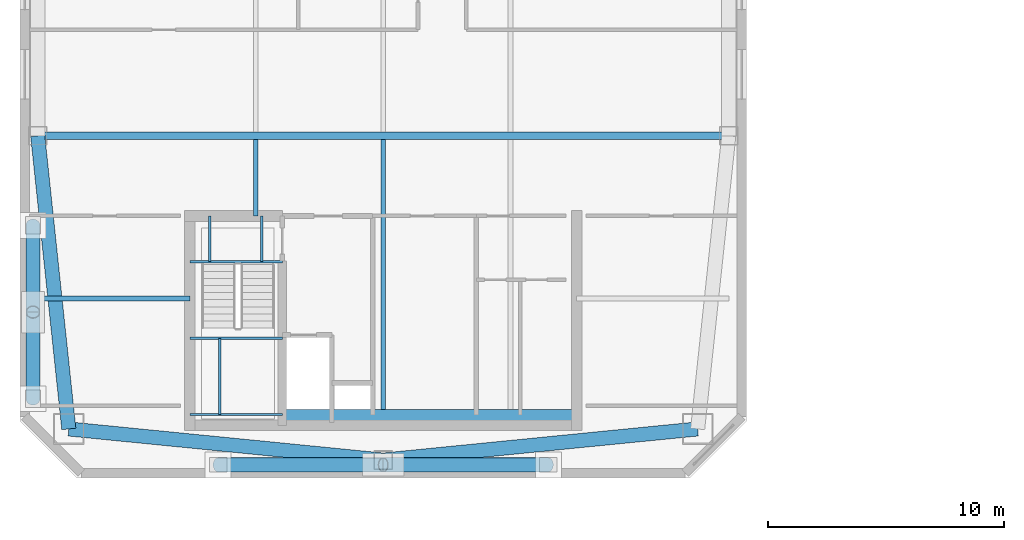
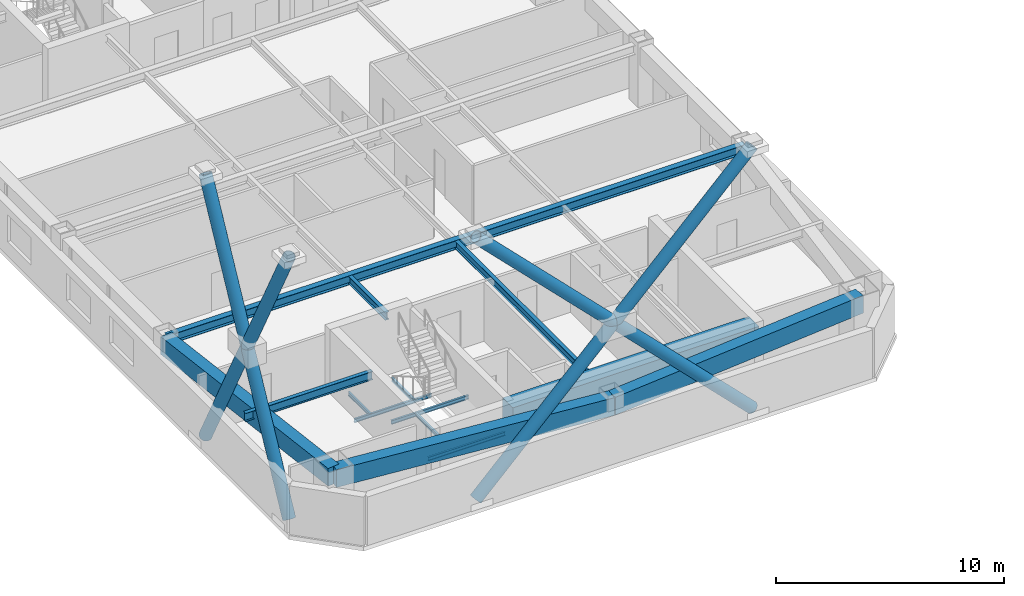
# One storey, part 3 of 20: 14 beams, 8 members.
"""IFC4 building model written with IfcOpenShell, lengths in metres."""

from ifc_helpers import new_model, si_unit, direction, frame, origin, origin_2d, place, context, subcontext, project, spatial, rectangle, hollow_circle, i_section, extrude, material, material_profile, profile_set, type_object, element, save


model = new_model("IFC4")

# Units and contexts
model_context = context("Model", 3, precision=1e-05, world=origin(), true_north=direction((0.0, 1.0)))
body_context = subcontext(model_context, "Body", "Model", "MODEL_VIEW")
ifc_project = project(units=[si_unit("LENGTHUNIT", "METRE"), si_unit("AREAUNIT", "SQUARE_METRE"), si_unit("VOLUMEUNIT", "CUBIC_METRE"), si_unit("PLANEANGLEUNIT", "RADIAN"), si_unit("MASSUNIT", "GRAM", prefix="KILO")], contexts=[model_context])

# Site, building, storey
site_placement = place(None, origin())
site = spatial("IfcSite", under=ifc_project, at=site_placement, CompositionType="ELEMENT")
building_placement = place(site_placement, origin())
building = spatial("IfcBuilding", under=site, at=building_placement, Name="Qiaolan Cultural Towers", CompositionType="ELEMENT")
storey_placement = place(building_placement, frame((0.0, 0.0, 223.10009765625)))
storey = spatial("IfcBuildingStorey", under=building, at=storey_placement, Name="L60", CompositionType="ELEMENT", Elevation=223.10009765625)

# Beams
ifc_material_1 = material(Name="Steel Q355B", Category="steel")
ifc_material_profile_1 = material_profile(ifc_material_1, i_section(OverallWidth=0.300048828125, OverallDepth=0.488037109375, WebThickness=0.010986328125, FlangeThickness=0.01806640625, at=origin_2d()), Name="HM488x300x11x18")
ifc_profile_set_1 = profile_set([ifc_material_profile_1], Name="Steel Q355B")
beam_type_1 = type_object("IfcBeamType", Name="BM-HM488x300x11x18", PredefinedType="BEAM", material=ifc_profile_set_1)
beam_1_placement = place(storey_placement, frame((15.35009765625, 25.0, 2.94580078125), z_axis=(1.0, 0.0, 0.0), x_axis=(0.0, 1.0, 0.0)))
element("IfcBeam", 1, at=beam_1_placement, inside=storey, type_object=beam_type_1, Name="L60 T1 Primary Transverse Girder V1", PredefinedType="BEAM", context=body_context, shape_type="SweptSolid", body=[
    extrude(i_section(OverallWidth=0.300048828125, OverallDepth=0.488037109375, WebThickness=0.010986328125, FlangeThickness=0.01806640625, at=origin_2d()), origin(), (0.0, 0.0, 1.0), 29.2998046875),
])
ifc_material_2 = material(Name="Steel Q355B", Category="steel")
ifc_material_profile_2 = material_profile(ifc_material_2, i_section(OverallWidth=0.199951171875, OverallDepth=0.39990234375, WebThickness=0.008056640625, FlangeThickness=0.012939453125, at=origin_2d()), Name="HN400x200x8x13")
ifc_profile_set_2 = profile_set([ifc_material_profile_2], Name="Steel Q355B")
beam_type_2 = type_object("IfcBeamType", Name="BM-JST-HN400x200x8x13", PredefinedType="JOIST", material=ifc_profile_set_2)
beam_2_placement = place(storey_placement, frame((24.60009765625, 21.60009765625, 2.989990234375), z_axis=(0.0, 1.0, 0.0), x_axis=(-1.0, 0.0, 0.0)))
element("IfcBeam", 2, at=beam_2_placement, inside=storey, type_object=beam_type_2, Name="L60 T1 Secondary Floor Joist U1-1", PredefinedType="JOIST", context=body_context, shape_type="SweptSolid", body=[
    extrude(i_section(OverallWidth=0.199951171875, OverallDepth=0.39990234375, WebThickness=0.008056640625, FlangeThickness=0.012939453125, at=origin_2d()), origin(), (0.0, 0.0, 1.0), 3.25),
])
beam_3_placement = place(storey_placement, frame((30.0, 13.39990234375, 2.989990234375), z_axis=(0.0, 1.0, 0.0), x_axis=(-1.0, 0.0, 0.0)))
element("IfcBeam", 3, at=beam_3_placement, inside=storey, type_object=beam_type_2, Name="L60 T1 Secondary Floor Joist U2-1", PredefinedType="JOIST", context=body_context, shape_type="SweptSolid", body=[
    extrude(i_section(OverallWidth=0.199951171875, OverallDepth=0.39990234375, WebThickness=0.008056640625, FlangeThickness=0.012939453125, at=origin_2d()), origin(), (0.0, 0.0, 1.0), 11.4501953125),
])
ifc_material_3 = material(Name="Steel Q355B", Category="steel")
ifc_material_profile_3 = material_profile(ifc_material_3, i_section(OverallWidth=0.199951171875, OverallDepth=0.449951171875, WebThickness=0.009033203125, FlangeThickness=0.013916015625, at=origin_2d()), Name="HN450x200x9x14")
ifc_profile_set_3 = profile_set([ifc_material_profile_3], Name="Steel Q355B")
beam_type_3 = type_object("IfcBeamType", Name="BM-LNT-HN450x200x9x14", PredefinedType="LINTEL", material=ifc_profile_set_3)
beam_4_placement = place(storey_placement, frame((21.800048828125, 18.10009765625, 2.96484375), z_axis=(-1.0, 0.0, 0.0), x_axis=(0.0, -1.0, 0.0)))
element("IfcBeam", 4, at=beam_4_placement, inside=storey, type_object=beam_type_3, Name="L60 T1 Core Flank Tie Lintel WS", PredefinedType="LINTEL", context=body_context, shape_type="SweptSolid", body=[
    extrude(i_section(OverallWidth=0.199951171875, OverallDepth=0.449951171875, WebThickness=0.009033203125, FlangeThickness=0.013916015625, at=origin_2d()), origin(), (0.0, 0.0, 1.0), 6.449951171875),
])
ifc_material_4 = material(Name="Concrete C50", Category="concrete")
ifc_material_profile_4 = material_profile(ifc_material_4, rectangle(XDim=0.89990234375, YDim=1.10009765625, at=origin_2d()), Name="RC900x1100")
ifc_profile_set_4 = profile_set([ifc_material_profile_4], Name="Concrete C50")
beam_type_4 = type_object("IfcBeamType", Name="BM-RC900x1100", PredefinedType="BEAM", material=ifc_profile_set_4)
beam_5_placement = place(storey_placement, frame((25.719970703125, 12.949951171875, 2.639892578125), z_axis=(1.0, 0.0, 0.0), x_axis=(0.0, 1.0, 0.0)))
element("IfcBeam", 5, at=beam_5_placement, inside=storey, type_object=beam_type_4, Name="L60 T1 Core Header Girder S", PredefinedType="BEAM", context=body_context, shape_type="SweptSolid", body=[
    extrude(rectangle(XDim=0.89990234375, YDim=1.10009765625, at=origin_2d()), origin(), (0.0, 0.0, 1.0), 12.47998046875),
])
ifc_material_5 = material(Name="Concrete C50", Category="concrete")
ifc_material_profile_5 = material_profile(ifc_material_5, rectangle(XDim=0.60009765625, YDim=0.949951171875, at=origin_2d()), Name="RC600x950")
ifc_profile_set_5 = profile_set([ifc_material_profile_5], Name="Concrete C50")
beam_type_5 = type_object("IfcBeamType", Name="BM-SPD-RC600x950", PredefinedType="SPANDREL", material=ifc_profile_set_5)
for number, where, z_axis, x_axis, name in (
    (6, (16.669921875, 12.570068359375, 2.71484375), (0.995132371263, -0.098547266143, 0.0), (0.098547266143, 0.995132371263, 0.0), "L60 T1 Perimeter Spandrel Beam 1"),
    (7, (30.0, 11.25, 2.71484375), (0.995132371263, 0.098547266143, 0.0), (-0.098547266143, 0.995132371263, 0.0), "L60 T1 Perimeter Spandrel Beam 2"),
):
    element("IfcBeam", number, at=place(storey_placement, frame(where, z_axis=z_axis, x_axis=x_axis)), inside=storey, type_object=beam_type_5, Name=name, PredefinedType="SPANDREL", context=body_context, shape_type="SweptSolid", body=[
        extrude(rectangle(XDim=0.60009765625, YDim=0.949951171875, at=origin_2d()), origin(), (0.0, 0.0, 1.0), 13.395263671875),
    ])
beam_6_placement = place(storey_placement, frame((15.35009765625, 25.0, 2.71484375), z_axis=(0.105587580773, -0.994410007384, 0.0), x_axis=(0.994410007384, 0.105587580773, 0.0)))
element("IfcBeam", 8, at=beam_6_placement, inside=storey, type_object=beam_type_5, Name="L60 T1 Perimeter Spandrel Beam 12", PredefinedType="SPANDREL", context=body_context, shape_type="SweptSolid", body=[
    extrude(rectangle(XDim=0.60009765625, YDim=0.949951171875, at=origin_2d()), origin(), (0.0, 0.0, 1.0), 12.499755859375),
])
ifc_material_6 = material(Name="Steel Q355B", Category="steel")
ifc_material_profile_6 = material_profile(ifc_material_6, i_section(OverallWidth=0.10009765625, OverallDepth=0.199951171875, WebThickness=0.005615234375, FlangeThickness=0.008056640625, at=origin_2d()), Name="HN200x100x5.5x8")
ifc_profile_set_6 = profile_set([ifc_material_profile_6], Name="Steel Q355B")
beam_type_6 = type_object("IfcBeamType", Name="BM-STTRIM-200", PredefinedType="BEAM", material=ifc_profile_set_6)
beam_7_placement = place(storey_placement, frame((21.800048828125, 19.659912109375, -0.460205078125), z_axis=(1.0, 0.0, 0.0), x_axis=(0.0, 1.0, 0.0)))
element("IfcBeam", 9, at=beam_7_placement, inside=storey, type_object=beam_type_6, Name="L60 ST-W1 Floor Landing Header Beam", PredefinedType="BEAM", context=body_context, shape_type="SweptSolid", body=[
    extrude(i_section(OverallWidth=0.10009765625, OverallDepth=0.199951171875, WebThickness=0.005615234375, FlangeThickness=0.008056640625, at=origin_2d()), origin(), (0.0, 0.0, 1.0), 3.919921875),
])
for number, where, z_axis, x_axis, name in (
    (10, (22.64990234375, 21.60009765625, -0.460205078125), (0.0, -1.0, 0.0), (1.0, 0.0, 0.0), "L60 ST-W1 Floor Landing Stringer 1"),
    (11, (24.85009765625, 21.60009765625, -0.460205078125), (0.0, -1.0, 0.0), (1.0, 0.0, 0.0), "L60 ST-W1 Floor Landing Stringer 2"),
):
    element("IfcBeam", number, at=place(storey_placement, frame(where, z_axis=z_axis, x_axis=x_axis)), inside=storey, type_object=beam_type_6, Name=name, PredefinedType="BEAM", context=body_context, shape_type="SweptSolid", body=[
        extrude(i_section(OverallWidth=0.10009765625, OverallDepth=0.199951171875, WebThickness=0.005615234375, FlangeThickness=0.008056640625, at=origin_2d()), origin(), (0.0, 0.0, 1.0), 1.940185546875),
    ])
for number, where, z_axis, x_axis, name in (
    (12, (21.800048828125, 16.411376953125, 1.4248046875), (1.0, 0.0, 0.0), (0.0, 1.0, 0.0), "L60 ST-W1 Stair Landing Support Beam 1-1"),
    (13, (21.800048828125, 13.179931640625, 1.4248046875), (1.0, 0.0, 0.0), (0.0, 1.0, 0.0), "L60 ST-W1 Stair Landing Support Beam 1-2"),
):
    element("IfcBeam", number, at=place(storey_placement, frame(where, z_axis=z_axis, x_axis=x_axis)), inside=storey, type_object=beam_type_6, Name=name, PredefinedType="BEAM", context=body_context, shape_type="SweptSolid", body=[
        extrude(i_section(OverallWidth=0.10009765625, OverallDepth=0.199951171875, WebThickness=0.005615234375, FlangeThickness=0.008056640625, at=origin_2d()), origin(), (0.0, 0.0, 1.0), 3.919921875),
    ])
beam_8_placement = place(storey_placement, frame((23.070068359375, 16.411376953125, 1.4248046875), z_axis=(0.0, -1.0, 0.0), x_axis=(1.0, 0.0, 0.0)))
element("IfcBeam", 14, at=beam_8_placement, inside=storey, type_object=beam_type_6, Name="L60 ST-W1 Stair Landing Trimmer 1", PredefinedType="BEAM", context=body_context, shape_type="SweptSolid", body=[
    extrude(i_section(OverallWidth=0.10009765625, OverallDepth=0.199951171875, WebThickness=0.005615234375, FlangeThickness=0.008056640625, at=origin_2d()), origin(), (0.0, 0.0, 1.0), 3.2314453125),
])

# Members
ifc_material_7 = material(Name="Steel Q355B", Category="steel")
ifc_material_profile_7 = material_profile(ifc_material_7, hollow_circle(Radius=0.300048828125, WallThickness=0.030029296875, at=origin_2d()), Name="CHS600x30")
ifc_profile_set_7 = profile_set([ifc_material_profile_7], Name="Steel Q355B")
member_type = type_object("IfcMemberType", Name="MBR-BRC-CHS600x30", PredefinedType="BRACE", material=ifc_profile_set_7)
member_1_placement = place(storey_placement, frame((15.14990234375, 13.85009765625, 0.14990234375), z_axis=(0.0, 0.463521333598, 0.886085759563), x_axis=(-1.0, 0.0, 0.0)))
element("IfcMember", 15, at=member_1_placement, inside=storey, type_object=member_type, Name="T1 WEST Perimeter Frame Diagonal W-Z4-M1-D1A", PredefinedType="BRACE", context=body_context, shape_type="SweptSolid", body=[
    extrude(hollow_circle(Radius=0.300048828125, WallThickness=0.030029296875, at=origin_2d()), origin(), (0.0, 0.0, 1.0), 7.927978515625),
])
member_2_placement = place(storey_placement, frame((15.14990234375, 17.52490234375, 7.1748046875), z_axis=(0.0, 0.463532863475, 0.88607972806), x_axis=(-1.0, 0.0, 0.0)))
element("IfcMember", 16, at=member_2_placement, inside=storey, type_object=member_type, Name="T1 WEST Perimeter Frame Diagonal W-Z4-M1-D1B", PredefinedType="BRACE", context=body_context, shape_type="SweptSolid", body=[
    extrude(hollow_circle(Radius=0.300048828125, WallThickness=0.030029296875, at=origin_2d()), origin(), (0.0, 0.0, 1.0), 7.928466796875),
])
for number, where, z_axis, x_axis, name in (
    (17, (15.14990234375, 21.199951171875, 0.14990234375), (0.0, -0.463545511451, 0.886073111438), (1.0, 0.0, 0.0), "T1 WEST Perimeter Frame Diagonal W-Z4-M1-D2A"),
    (18, (15.14990234375, 17.52490234375, 7.1748046875), (0.0, -0.46350868592, 0.886092375589), (1.0, 0.0, 0.0), "T1 WEST Perimeter Frame Diagonal W-Z4-M1-D2B"),
):
    element("IfcMember", number, at=place(storey_placement, frame(where, z_axis=z_axis, x_axis=x_axis)), inside=storey, type_object=member_type, Name=name, PredefinedType="BRACE", context=body_context, shape_type="SweptSolid", body=[
        extrude(hollow_circle(Radius=0.300048828125, WallThickness=0.030029296875, at=origin_2d()), origin(), (0.0, 0.0, 1.0), 7.92822265625),
    ])
for number, where, z_axis, x_axis, name in (
    (19, (23.0, 11.050048828125, 0.14990234375), (0.705850143481, 0.0, 0.708361189611), (0.0, 1.0, 0.0), "T1 SOUTH Perimeter Frame Diagonal W-Z4-M1-D1A"),
    (20, (30.0, 11.050048828125, 7.1748046875), (0.705837834617, 0.0, 0.708373454629), (0.0, 1.0, 0.0), "T1 SOUTH Perimeter Frame Diagonal W-Z4-M1-D1B"),
    (21, (37.0, 11.050048828125, 0.14990234375), (-0.705850143481, 0.0, 0.708361189611), (0.0, -1.0, 0.0), "T1 SOUTH Perimeter Frame Diagonal W-Z4-M1-D2A"),
    (22, (30.0, 11.050048828125, 7.1748046875), (-0.705837834617, 0.0, 0.708373454629), (0.0, -1.0, 0.0), "T1 SOUTH Perimeter Frame Diagonal W-Z4-M1-D2B"),
):
    element("IfcMember", number, at=place(storey_placement, frame(where, z_axis=z_axis, x_axis=x_axis)), inside=storey, type_object=member_type, Name=name, PredefinedType="BRACE", context=body_context, shape_type="SweptSolid", body=[
        extrude(hollow_circle(Radius=0.300048828125, WallThickness=0.030029296875, at=origin_2d()), origin(), (0.0, 0.0, 1.0), 9.917236328125),
    ])

save(model, "model.ifc")
